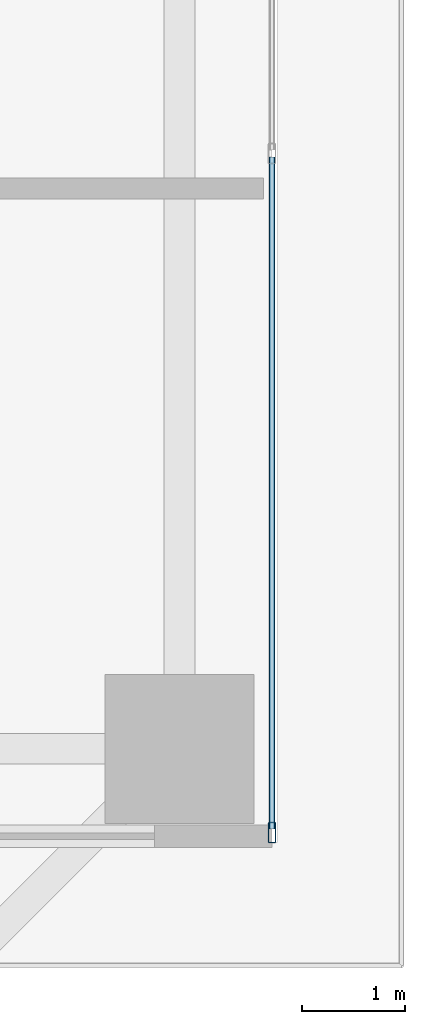
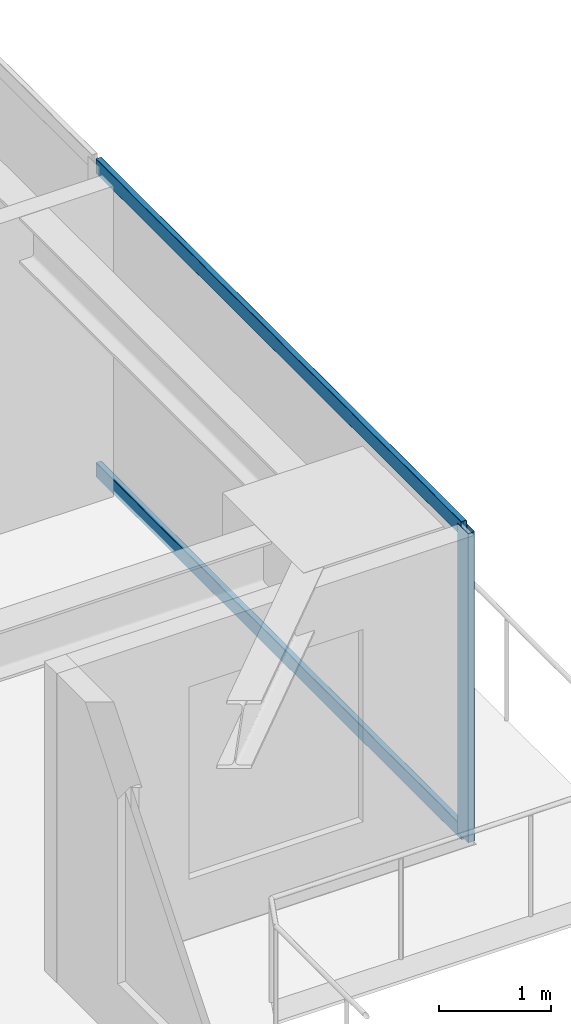
# One storey, part 13 of 40: 3 members, 1 element without a shape of its own.
"""IFC4 building model written with IfcOpenShell, lengths in metres."""

from ifc_helpers import new_model, si_unit, direction, frame, origin, origin_2d, place, context, subcontext, project, spatial, hollow_rectangle, extrude, source, transform, mapped, material, layer, layer_set, material_profile, profile_set, type_object, element, aggregate, save


model = new_model("IFC4")

# Units and contexts
model_context = context("Model", 3, precision=1e-05, world=origin(), true_north=direction((0.0, 1.0)))
body_context = subcontext(model_context, "Body", "Model", "MODEL_VIEW")
ifc_project = project(units=[si_unit("LENGTHUNIT", "METRE"), si_unit("AREAUNIT", "SQUARE_METRE"), si_unit("VOLUMEUNIT", "CUBIC_METRE"), si_unit("PLANEANGLEUNIT", "RADIAN"), si_unit("MASSUNIT", "GRAM", prefix="KILO")], contexts=[model_context])

# Site, building, storey
site_placement = place(None, origin())
site = spatial("IfcSite", under=ifc_project, at=site_placement, CompositionType="ELEMENT")
building_placement = place(site_placement, origin())
building = spatial("IfcBuilding", under=site, at=building_placement, Name="Serunith Strait Residences", CompositionType="ELEMENT")
storey_placement = place(building_placement, frame((0.0, 0.0, 105.449951171875)))
storey = spatial("IfcBuildingStorey", under=building, at=storey_placement, Name="L26", CompositionType="ELEMENT", Elevation=105.449951171875)

# Curtain wall, members
ifc_material = material(Name="Pale-Champagne Anodised Aluminium", Category="aluminium")
ifc_layer = layer(ifc_material, 0.199951171875, Name="Pale-Champagne Anodised Aluminium")
ifc_layer_set = layer_set([ifc_layer], Name="Pale-Champagne Anodised Aluminium")
curtain_wall_type = type_object("IfcCurtainWallType", Name="CW-SYS1", PredefinedType="NOTDEFINED", material=ifc_layer_set)
curtain_wall_placement = place(storey_placement, origin())
curtain_wall = element("IfcCurtainWall", 1, at=curtain_wall_placement, inside=storey, type_object=curtain_wall_type, Name="L26 E Unitised Fritted Curtain Wall", PredefinedType="NOTDEFINED")
ifc_material_profile_1 = material_profile(ifc_material, hollow_rectangle(XDim=0.06005859375, YDim=0.159912109375, WallThickness=0.00341796875, InnerFilletRadius=0.00537109375, OuterFilletRadius=0.0087890625, at=origin_2d()), Name="ALU 160x60x3.5")
ifc_profile_set_1 = profile_set([ifc_material_profile_1], Name="Pale-Champagne Anodised Aluminium")
member_type_1 = type_object("IfcMemberType", Name="CW-SYS1-TRAN", PredefinedType="USERDEFINED", material=ifc_profile_set_1)
shared_shape_1 = source(origin(), body_context, "Body", "SweptSolid", [
    extrude(hollow_rectangle(XDim=0.06005859375, YDim=0.159912109375, WallThickness=0.00341796875, InnerFilletRadius=0.00537109375, OuterFilletRadius=0.0087890625, at=origin_2d()), origin(), (0.0, 0.0, 1.0), 6.53515625),
])
member_1_placement = place(storey_placement, frame((58.800048828125, 8.669921875, 0.030029296875), z_axis=(0.0, 1.0, 0.0), x_axis=(-1.0, 0.0, 0.0)))
member_1 = element("IfcMember", 2, at=member_1_placement, type_object=member_type_1, Name="CW-1 transom 1.1", ObjectType="TRANSOM", PredefinedType="USERDEFINED", context=body_context, shape_type="MappedRepresentation", body=[
    mapped(shared_shape_1, transform((0.0, 0.0, 0.0), scale=1.0)),
])
member_2_placement = place(storey_placement, frame((58.800048828125, 8.669921875, 3.344970703125), z_axis=(0.0, 1.0, 0.0), x_axis=(-1.0, 0.0, 0.0)))
member_2 = element("IfcMember", 3, at=member_2_placement, type_object=member_type_1, Name="CW-1 transom 1.2", ObjectType="TRANSOM", PredefinedType="USERDEFINED", context=body_context, shape_type="MappedRepresentation", body=[
    mapped(shared_shape_1, transform((0.0, 0.0, 0.0), scale=1.0)),
])
ifc_material_profile_2 = material_profile(ifc_material, hollow_rectangle(XDim=0.070068359375, YDim=0.199951171875, WallThickness=0.00390625, InnerFilletRadius=0.006103515625, OuterFilletRadius=0.010009765625, at=origin_2d()), Name="ALU 200x70x4")
ifc_profile_set_2 = profile_set([ifc_material_profile_2], Name="Pale-Champagne Anodised Aluminium")
member_type_2 = type_object("IfcMemberType", Name="CW-SYS1-MULL", PredefinedType="MULLION", material=ifc_profile_set_2)
shared_shape_2 = source(origin(), body_context, "Body", "SweptSolid", [
    extrude(hollow_rectangle(XDim=0.070068359375, YDim=0.199951171875, WallThickness=0.00390625, InnerFilletRadius=0.006103515625, OuterFilletRadius=0.010009765625, at=origin_2d()), origin(), (0.0, 0.0, 1.0), 3.375),
])
member_3_placement = place(storey_placement, frame((58.800048828125, 8.635009765625, 0.0), z_axis=(0.0, 0.0, 1.0), x_axis=(-1.0, 0.0, 0.0)))
member_3 = element("IfcMember", 4, at=member_3_placement, type_object=member_type_2, Name="CW-1 mullion 1", PredefinedType="MULLION", context=body_context, shape_type="MappedRepresentation", body=[
    mapped(shared_shape_2, transform((0.0, 0.0, 0.0), scale=1.0)),
])
aggregate(curtain_wall, [member_3, member_1, member_2])

save(model, "model.ifc")
